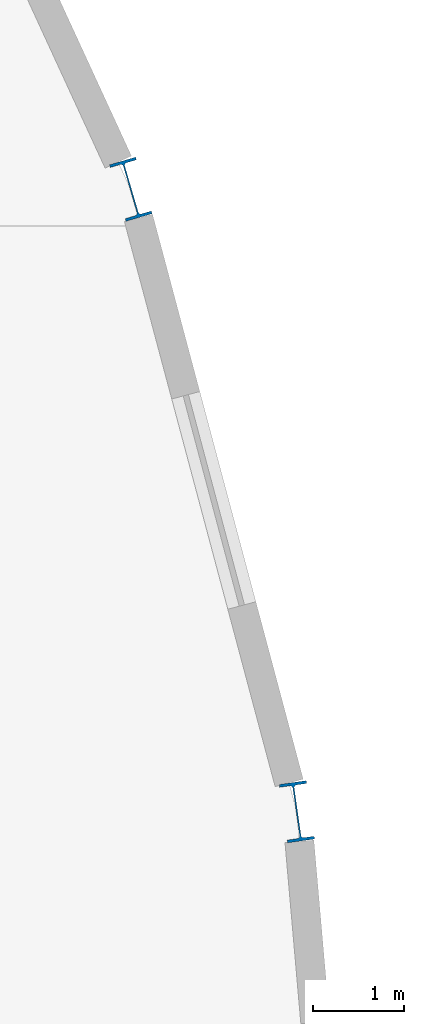
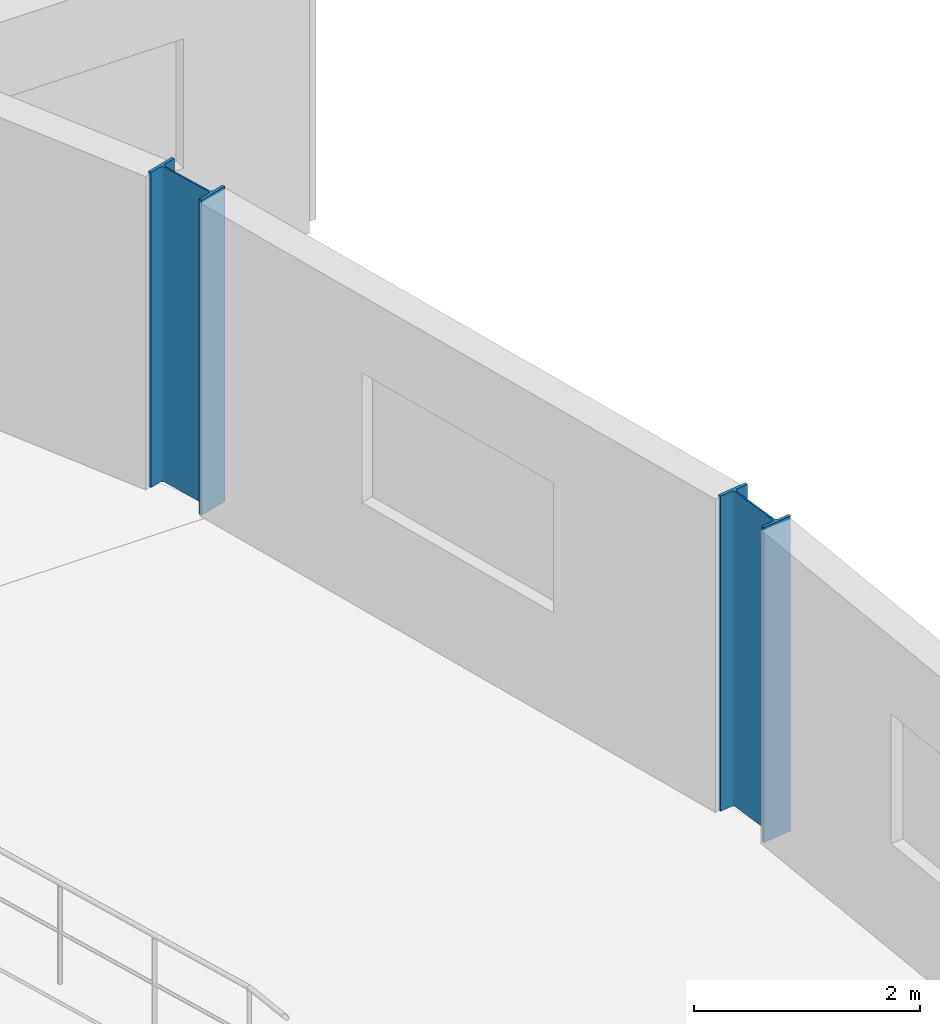
# One storey, part 4 of 40: 2 columns.
"""IFC4 building model written with IfcOpenShell, lengths in metres."""

from ifc_helpers import new_model, si_unit, direction, frame, origin, origin_2d, place, context, subcontext, project, spatial, i_section, extrude, material, material_profile, profile_set, type_object, element, save


model = new_model("IFC4")

# Units and contexts
model_context = context("Model", 3, precision=1e-05, world=origin(), true_north=direction((0.0, 1.0)))
body_context = subcontext(model_context, "Body", "Model", "MODEL_VIEW")
ifc_project = project(units=[si_unit("LENGTHUNIT", "METRE"), si_unit("AREAUNIT", "SQUARE_METRE"), si_unit("VOLUMEUNIT", "CUBIC_METRE"), si_unit("PLANEANGLEUNIT", "RADIAN"), si_unit("MASSUNIT", "GRAM", prefix="KILO")], contexts=[model_context])

# Site, building, storey
site_placement = place(None, origin())
site = spatial("IfcSite", under=ifc_project, at=site_placement, CompositionType="ELEMENT")
building_placement = place(site_placement, origin())
building = spatial("IfcBuilding", under=site, at=building_placement, Name="Glasvene Arena", CompositionType="ELEMENT")
storey_placement = place(building_placement, frame((0.0, 0.0, 24.0)))
storey = spatial("IfcBuildingStorey", under=building, at=storey_placement, Name="L05", CompositionType="ELEMENT", Elevation=24.0)

# Columns
ifc_material = material(Name="Steel S355J2", Category="steel")
ifc_material_profile = material_profile(ifc_material, i_section(OverallWidth=0.300048828125, OverallDepth=0.64990234375, WebThickness=0.01611328125, FlangeThickness=0.031005859375, FilletRadius=0.027099609375, at=origin_2d()), Name="HEB 650")
ifc_profile_set = profile_set([ifc_material_profile], Name="Steel S355J2")
column_type = type_object("IfcColumnType", Name="COL-RING-HEB650", PredefinedType="COLUMN", material=ifc_profile_set)
for number, where, z_axis, x_axis, name in (
    (1, (141.384521484375, 80.03955078125, 0.0), (0.0, 0.0, 1.0), (0.989999050734, 0.141074021516, 0.0), "Bowl ring column R02 L05"),
    (2, (139.552734375, 86.90576171875, 0.0), (0.0, 0.0, 1.0), (0.959805291975, 0.280666708921, 0.0), "Bowl ring column R03 L05"),
):
    element("IfcColumn", number, at=place(storey_placement, frame(where, z_axis=z_axis, x_axis=x_axis)), inside=storey, type_object=column_type, Name=name, PredefinedType="COLUMN", context=body_context, shape_type="SweptSolid", body=[
        extrude(i_section(OverallWidth=0.300048828125, OverallDepth=0.64990234375, WebThickness=0.01611328125, FlangeThickness=0.031005859375, FilletRadius=0.027099609375, at=origin_2d()), origin(), (0.0, 0.0, 1.0), 3.39990234375),
    ])

save(model, "model.ifc")
